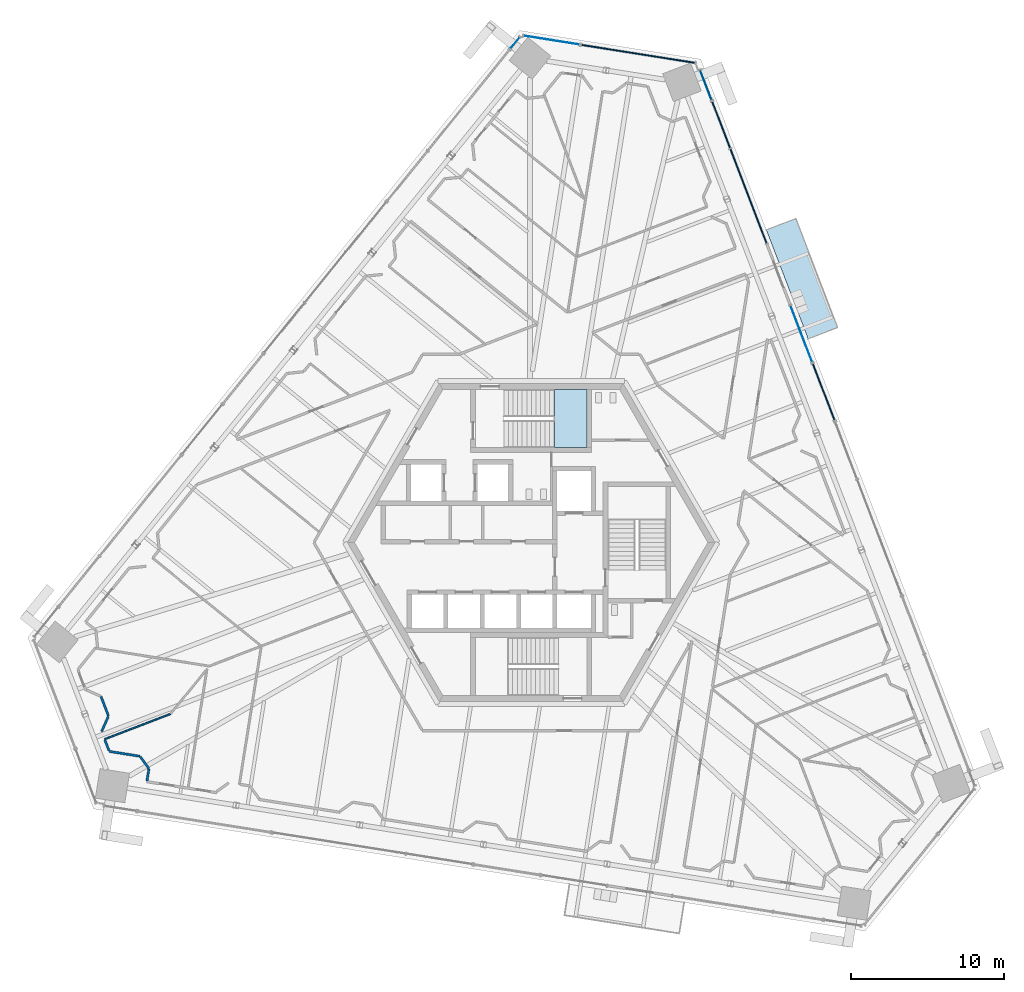
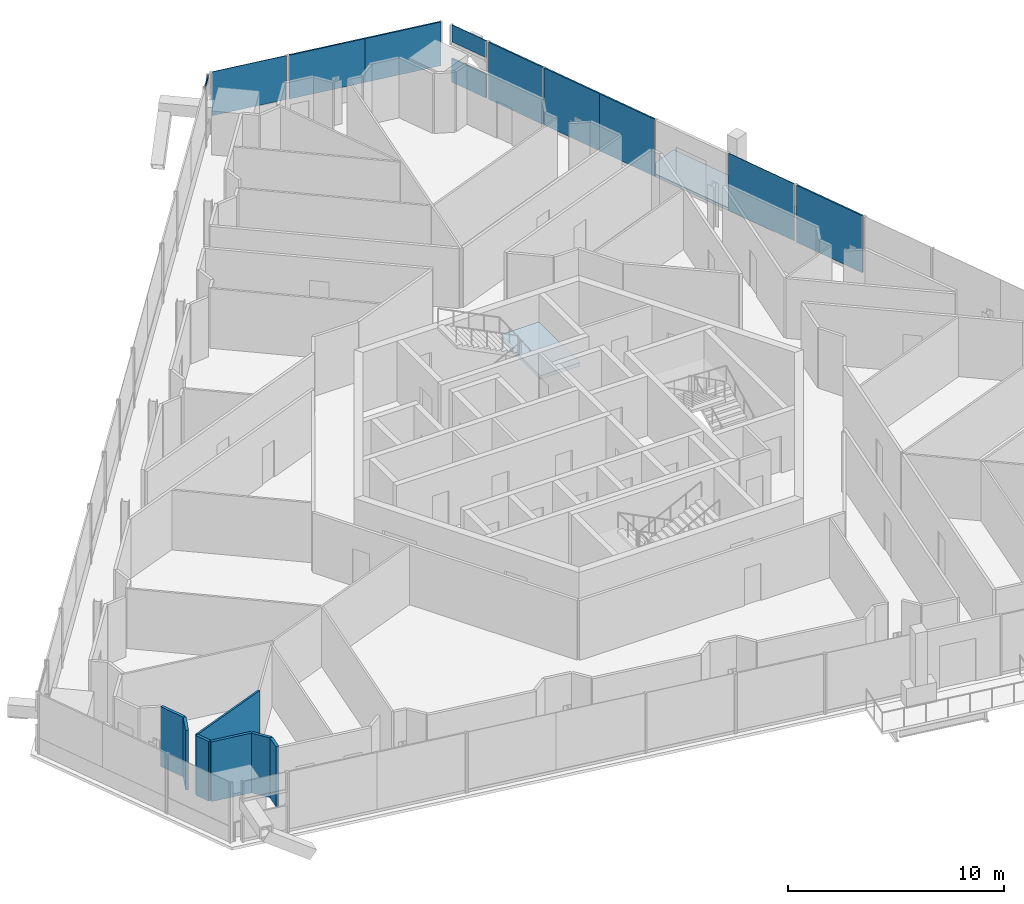
# One storey, part 12 of 23: 11 plates, 7 walls, 2 slabs, 9 elements without a shape of their own.
"""IFC4 building model written with IfcOpenShell, lengths in metres."""

from ifc_helpers import new_model, si_unit, direction, frame, frame_2d, origin, origin_2d, place, context, subcontext, project, spatial, polyline, rectangle, outline, extrude, source, transform, mapped, material, layer, layer_set, type_object, element, aggregate, save


model = new_model("IFC4")

# Units and contexts
model_context = context("Model", 3, precision=1e-05, world=origin(), true_north=direction((0.0, 1.0)))
body_context = subcontext(model_context, "Body", "Model", "MODEL_VIEW")
ifc_project = project(units=[si_unit("LENGTHUNIT", "METRE"), si_unit("AREAUNIT", "SQUARE_METRE"), si_unit("VOLUMEUNIT", "CUBIC_METRE"), si_unit("PLANEANGLEUNIT", "RADIAN"), si_unit("MASSUNIT", "GRAM", prefix="KILO")], contexts=[model_context])

# Site, building, storey
site_placement = place(None, origin())
site = spatial("IfcSite", under=ifc_project, at=site_placement, CompositionType="ELEMENT")
building_placement = place(site_placement, origin())
building = spatial("IfcBuilding", under=site, at=building_placement, Name="Triune Harvest Tower", CompositionType="ELEMENT")
storey_placement = place(building_placement, frame((0.0, 0.0, 171.300048828125)))
storey = spatial("IfcBuildingStorey", under=building, at=storey_placement, Name="L44", CompositionType="ELEMENT", Elevation=171.300048828125)

# Slab
ifc_material_1 = material(Name="Concrete 40 MPa", Category="concrete")
ifc_layer_1 = layer(ifc_material_1, 0.159912109375)
ifc_layer_set_1 = layer_set([ifc_layer_1], Name="Concrete 40 MPa")
slab_type_1 = type_object("IfcSlabType", Name="BA-1 balcony slab 160", PredefinedType="FLOOR", material=ifc_layer_set_1)
slab_1_placement = place(storey_placement, frame((0.0, 0.0, -0.16015625)))
element("IfcSlab", 1, at=slab_1_placement, inside=storey, type_object=slab_type_1, Name="Balcony slab B4-F1 L44.9", PredefinedType="FLOOR", context=body_context, shape_type="SweptSolid", body=[
    extrude(outline(polyline([(18.08447265625, 13.302978515625), (15.355712890625, 20.41162109375), (17.280029296875, 21.150390625), (20.0087890625, 14.0419921875), (18.08447265625, 13.302978515625)])), origin(), (0.0, 0.0, 1.0), 0.16015625),
])

# Curtain wall, plate
ifc_material_2 = material(Name="Aluminium bronze anodised", Category="aluminium")
curtain_wall_type_1 = type_object("IfcCurtainWallType", Name="CW-1 Tower stick curtain wall", PredefinedType="NOTDEFINED", material=ifc_material_2)
curtain_wall_1_placement = place(storey_placement, origin())
curtain_wall_1 = element("IfcCurtainWall", 2, at=curtain_wall_1_placement, inside=storey, type_object=curtain_wall_type_1, Name="CW-1 B4-F3 L44 run 101")
ifc_material_3 = material(Name="Glass", Category="glass")
ifc_layer_2 = layer(ifc_material_3, 0.031982421875)
ifc_layer_set_2 = layer_set([ifc_layer_2], Name="Glass")
plate_type_1 = type_object("IfcPlateType", Name="GL-1 panel 32", PredefinedType="CURTAIN_PANEL", material=ifc_layer_set_2)
plate_1_placement = place(storey_placement, frame((-1.0556640625, 32.622802734375, 3.15966796875), z_axis=(0.0, 0.0, 1.0), x_axis=(-0.629342465334, -0.777128085535, 0.0)))
plate_1 = element("IfcPlate", 3, at=plate_1_placement, type_object=plate_type_1, Name="CW-1 panel B4-F3 101.1", PredefinedType="CURTAIN_PANEL", context=body_context, shape_type="SweptSolid", body=[
    extrude(rectangle(XDim=0.94677734375, YDim=0.031982421875, at=origin_2d()), origin(), (0.0, 0.0, 1.0), 0.215087890625),
])
aggregate(curtain_wall_1, [plate_1])

ifc_material_4 = material(Name="Aluminium bronze anodised", Category="aluminium")
curtain_wall_type_2 = type_object("IfcCurtainWallType", Name="CW-6 Balcony window wall", PredefinedType="NOTDEFINED", material=ifc_material_4)
curtain_wall_2_placement = place(storey_placement, origin())
curtain_wall_2 = element("IfcCurtainWall", 4, at=curtain_wall_2_placement, inside=storey, type_object=curtain_wall_type_2, Name="CW-6 B4-F1 L44 run 3201")
ifc_material_5 = material(Name="Glass", Category="glass")
ifc_layer_3 = layer(ifc_material_5, 0.030029296875)
ifc_layer_set_3 = layer_set([ifc_layer_3], Name="Glass")
plate_type_2 = type_object("IfcPlateType", Name="GL-6 panel 30", PredefinedType="CURTAIN_PANEL", material=ifc_layer_set_3)
plate_2_placement = place(storey_placement, frame((17.636962890625, 13.6318359375, 0.14990234375), z_axis=(0.0, 0.0, 1.0), x_axis=(-0.35837517826, 0.933577651621, 0.0)))
plate_2 = element("IfcPlate", 5, at=plate_2_placement, type_object=plate_type_2, Name="CW-6 panel B4-F1 3201.1", PredefinedType="CURTAIN_PANEL", context=body_context, shape_type="SweptSolid", body=[
    extrude(rectangle(XDim=3.9228515625, YDim=0.030029296875, at=origin_2d()), origin(), (0.0, 0.0, 1.0), 3.22509765625),
])
aggregate(curtain_wall_2, [plate_2])

curtain_wall_3_placement = place(storey_placement, origin())
curtain_wall_3 = element("IfcCurtainWall", 6, at=curtain_wall_3_placement, inside=storey, type_object=curtain_wall_type_2, Name="CW-6 B4-F1 L44 run 202")
plate_3_placement = place(storey_placement, frame((11.400634765625, 29.8779296875, 2.40966796875), z_axis=(0.0, 0.0, 1.0), x_axis=(-0.358380221934, 0.933575715476, 0.0)))
plate_3 = element("IfcPlate", 7, at=plate_3_placement, type_object=plate_type_2, Name="CW-6 panel B4-F1 202.1", PredefinedType="CURTAIN_PANEL", context=body_context, shape_type="SweptSolid", body=[
    extrude(rectangle(XDim=2.0546875, YDim=0.030029296875, at=origin_2d()), origin(), (0.0, 0.0, 1.0), 0.965087890625),
])
aggregate(curtain_wall_3, [plate_3])

ifc_material_6 = material(Name="Aluminium bronze anodised", Category="aluminium")
curtain_wall_type_3 = type_object("IfcCurtainWallType", Name="CW-10 Balcony window wall with insulated spandrel infill", PredefinedType="NOTDEFINED", material=ifc_material_6)
curtain_wall_4_placement = place(storey_placement, origin())
curtain_wall_4 = element("IfcCurtainWall", 8, at=curtain_wall_4_placement, inside=storey, type_object=curtain_wall_type_3, Name="CW-10 B4-F1 L44 run 2201")
ifc_material_7 = material(Name="Insulated spandrel panel, bronze aluminium pan", Category="aluminium")
ifc_layer_4 = layer(ifc_material_7, 0.080078125)
ifc_layer_set_4 = layer_set([ifc_layer_4], Name="Insulated spandrel panel, bronze aluminium pan")
plate_type_3 = type_object("IfcPlateType", Name="SP-1 insulated spandrel panel 80", PredefinedType="CURTAIN_PANEL", material=ifc_layer_set_4)
plate_4_placement = place(storey_placement, frame((19.096435546875, 9.82958984375, 0.14990234375), z_axis=(0.0, 0.0, 1.0), x_axis=(-0.358361992954, 0.933582712997, 0.0)))
plate_4 = element("IfcPlate", 9, at=plate_4_placement, type_object=plate_type_3, Name="CW-10 panel B4-F1 2201.1", PredefinedType="CURTAIN_PANEL", context=body_context, shape_type="SweptSolid", body=[
    extrude(rectangle(XDim=3.922607421875, YDim=0.080078125, at=origin_2d()), origin(), (0.0, 0.0, 1.0), 3.22509765625),
])
aggregate(curtain_wall_4, [plate_4])

curtain_wall_5_placement = place(storey_placement, origin())
curtain_wall_5 = element("IfcCurtainWall", 10, at=curtain_wall_5_placement, inside=storey, type_object=curtain_wall_type_3, Name="CW-10 B4-F1 L44 run 102")
plate_5_placement = place(storey_placement, frame((11.400634765625, 29.8779296875, 0.14990234375), z_axis=(0.0, 0.0, 1.0), x_axis=(-0.358380221934, 0.933575715476, 0.0)))
plate_5 = element("IfcPlate", 11, at=plate_5_placement, type_object=plate_type_3, Name="CW-10 panel B4-F1 102.1", PredefinedType="CURTAIN_PANEL", context=body_context, shape_type="SweptSolid", body=[
    extrude(rectangle(XDim=2.0546875, YDim=0.080078125, at=origin_2d()), origin(), (0.0, 0.0, 1.0), 1.340087890625),
])
aggregate(curtain_wall_5, [plate_5])

# Stair, slab
ifc_material_8 = material(Name="Concrete 40 MPa", Category="concrete")
stair_type = type_object("IfcStairType", Name="Exit stair 1800 half turn", PredefinedType="HALF_TURN_STAIR", material=ifc_material_8)
stair_placement = place(storey_placement, origin())
stair = element("IfcStair", 12, at=stair_placement, inside=storey, type_object=stair_type, Name="Exit stair north", PredefinedType="HALF_TURN_STAIR")
ifc_material_9 = material(Name="Concrete 40 MPa", Category="concrete")
ifc_layer_5 = layer(ifc_material_9, 0.199951171875)
ifc_layer_set_5 = layer_set([ifc_layer_5], Name="Concrete 40 MPa")
slab_type_2 = type_object("IfcSlabType", Name="Stair landing 200", PredefinedType="LANDING", material=ifc_layer_set_5)
shared_shape_1 = source(origin(), body_context, "Body", "SweptSolid", [
    extrude(outline(polyline([(1.510009765625, 6.18994140625), (3.64990234375, 6.18994140625), (3.64990234375, 9.989990234375), (1.510009765625, 9.989990234375), (1.510009765625, 6.18994140625)])), origin(), (0.0, 0.0, 1.0), 0.199951171875),
])
slab_2_placement = place(storey_placement, frame((0.0, 0.0, 1.612548828125)))
slab_2 = element("IfcSlab", 13, at=slab_2_placement, type_object=slab_type_2, Name="ST-1 landing 2", PredefinedType="LANDING", context=body_context, shape_type="MappedRepresentation", body=[
    mapped(shared_shape_1, transform((0.0, 0.0, 0.0), scale=1.0)),
])
aggregate(stair, [slab_2])

# Curtain wall, plates
curtain_wall_6_placement = place(storey_placement, origin())
curtain_wall_6 = element("IfcCurtainWall", 14, at=curtain_wall_6_placement, inside=storey, type_object=curtain_wall_type_3, Name="CW-10 B4-F1 L44 run 2")
shared_shape_2 = source(origin(), body_context, "Body", "SweptSolid", [
    extrude(rectangle(XDim=3.2724609375, YDim=0.080078125, at=origin_2d()), origin(), (0.0, 0.0, 1.0), 3.22509765625),
])
plate_6_placement = place(storey_placement, frame((14.78125, 21.0712890625, 0.14990234375), z_axis=(0.0, 0.0, 1.0), x_axis=(-0.358371098793, 0.933579217608, 0.0)))
plate_6 = element("IfcPlate", 15, at=plate_6_placement, type_object=plate_type_3, Name="CW-10 panel B4-F1 2.1", PredefinedType="CURTAIN_PANEL", context=body_context, shape_type="MappedRepresentation", body=[
    mapped(shared_shape_2, transform((0.0, 0.0, 0.0), scale=1.0)),
])
shared_shape_3 = source(origin(), body_context, "Body", "SweptSolid", [
    extrude(rectangle(XDim=3.309814453125, YDim=0.080078125, at=origin_2d()), origin(), (0.0, 0.0, 1.0), 3.22509765625),
])
plate_7_placement = place(storey_placement, frame((13.601806640625, 24.143798828125, 0.14990234375), z_axis=(0.0, 0.0, 1.0), x_axis=(-0.358371098793, 0.933579217608, 0.0)))
plate_7 = element("IfcPlate", 16, at=plate_7_placement, type_object=plate_type_3, Name="CW-10 panel B4-F1 2.2", PredefinedType="CURTAIN_PANEL", context=body_context, shape_type="MappedRepresentation", body=[
    mapped(shared_shape_3, transform((0.0, 0.0, 0.0), scale=1.0)),
])
shared_shape_4 = source(origin(), body_context, "Body", "SweptSolid", [
    extrude(rectangle(XDim=3.23486328125, YDim=0.080078125, at=origin_2d()), origin(), (0.0, 0.0, 1.0), 3.22509765625),
])
plate_8_placement = place(storey_placement, frame((12.402099609375, 27.268798828125, 0.14990234375), z_axis=(0.0, 0.0, 1.0), x_axis=(-0.358371098793, 0.933579217608, 0.0)))
plate_8 = element("IfcPlate", 17, at=plate_8_placement, type_object=plate_type_3, Name="CW-10 panel B4-F1 2.3", PredefinedType="CURTAIN_PANEL", context=body_context, shape_type="MappedRepresentation", body=[
    mapped(shared_shape_4, transform((0.0, 0.0, 0.0), scale=1.0)),
])
aggregate(curtain_wall_6, [plate_6, plate_7, plate_8])

ifc_material_10 = material(Name="Aluminium bronze anodised", Category="aluminium")
curtain_wall_type_4 = type_object("IfcCurtainWallType", Name="CW-7 Tower stick curtain wall with insulated spandrel infill", PredefinedType="NOTDEFINED", material=ifc_material_10)
curtain_wall_7_placement = place(storey_placement, origin())
curtain_wall_7 = element("IfcCurtainWall", 18, at=curtain_wall_7_placement, inside=storey, type_object=curtain_wall_type_4, Name="CW-7 B4-F2 L44 run 1")
shared_shape_5 = source(origin(), body_context, "Body", "SweptSolid", [
    extrude(rectangle(XDim=3.74951171875, YDim=0.080078125, at=origin_2d()), origin(), (0.0, 0.0, 1.0), 2.47509765625),
])
plate_9_placement = place(storey_placement, frame((8.841552734375, 31.614990234375, 0.89990234375), z_axis=(0.0, 0.0, 1.0), x_axis=(-0.987689528805, 0.156426962792, 0.0)))
plate_9 = element("IfcPlate", 19, at=plate_9_placement, type_object=plate_type_3, Name="CW-7 panel B4-F2 1.1", PredefinedType="CURTAIN_PANEL", context=body_context, shape_type="MappedRepresentation", body=[
    mapped(shared_shape_5, transform((0.0, 0.0, 0.0), scale=1.0)),
])
plate_10_placement = place(storey_placement, frame((5.13818359375, 32.20166015625, 0.89990234375), z_axis=(0.0, 0.0, 1.0), x_axis=(-0.987689528805, 0.156426962792, 0.0)))
plate_10 = element("IfcPlate", 20, at=plate_10_placement, type_object=plate_type_3, Name="CW-7 panel B4-F2 1.2", PredefinedType="CURTAIN_PANEL", context=body_context, shape_type="MappedRepresentation", body=[
    mapped(shared_shape_5, transform((0.0, 0.0, 0.0), scale=1.0)),
])
aggregate(curtain_wall_7, [plate_9, plate_10])

# Curtain wall, plate
curtain_wall_8_placement = place(storey_placement, origin())
curtain_wall_8 = element("IfcCurtainWall", 21, at=curtain_wall_8_placement, inside=storey, type_object=curtain_wall_type_1, Name="CW-1 B4-F2 L44 run 1001")
shared_shape_6 = source(origin(), body_context, "Body", "SweptSolid", [
    extrude(rectangle(XDim=3.674560546875, YDim=0.031982421875, at=origin_2d()), origin(), (0.0, 0.0, 1.0), 2.47509765625),
])
plate_11_placement = place(storey_placement, frame((1.32373046875, 32.8056640625, 0.89990234375), z_axis=(0.0, 0.0, 1.0), x_axis=(-0.987686789255, 0.156444259503, 0.0)))
plate_11 = element("IfcPlate", 22, at=plate_11_placement, type_object=plate_type_1, Name="CW-1 panel B4-F2 1001.1", PredefinedType="CURTAIN_PANEL", context=body_context, shape_type="MappedRepresentation", body=[
    mapped(shared_shape_6, transform((0.0, 0.0, 0.0), scale=1.0)),
])
aggregate(curtain_wall_8, [plate_11])

# Walls
ifc_material_11 = material(Name="Gypsum board on steel studs", Category="steel")
ifc_layer_6 = layer(ifc_material_11, 0.14990234375)
ifc_layer_set_6 = layer_set([ifc_layer_6], Name="Gypsum board on steel studs")
wall_type_1 = type_object("IfcWallType", Name="Fire Partition 150 mm", PredefinedType="PARTITIONING", material=ifc_layer_set_6)
wall_1_placement = place(storey_placement, frame((-27.84423828125, -12.87548828125, 0.0), z_axis=(0.0, 0.0, 1.0), x_axis=(0.358254721163, -0.933623882923, 0.0)))
element("IfcWall", 23, at=wall_1_placement, inside=storey, type_object=wall_type_1, Name="Partition L44 008", PredefinedType="PARTITIONING", context=body_context, shape_type="SweptSolid", body=[
    extrude(rectangle(XDim=0.76806640625, YDim=0.14990234375, at=frame_2d((0.384033203125, 0.0))), origin(), (0.0, 0.0, 1.0), 3.375),
])
wall_2_placement = place(storey_placement, frame((-25.53125, -13.981201171875, 0.0), z_axis=(0.0, 0.0, 1.0), x_axis=(0.587871875586, -0.808954051782, 0.0)))
element("IfcWall", 24, at=wall_2_placement, inside=storey, type_object=wall_type_1, Name="Partition L44 027", PredefinedType="PARTITIONING", context=body_context, shape_type="SweptSolid", body=[
    extrude(rectangle(XDim=0.968505859375, YDim=0.14990234375, at=frame_2d((0.484375, 0.0))), origin(), (0.0, 0.0, 1.0), 3.375),
])
wall_3_placement = place(storey_placement, frame((-28.050537109375, -12.338134765625, 0.0), z_axis=(0.0, 0.0, 1.0), x_axis=(0.406750142181, 0.913539447334, 0.0)))
element("IfcWall", 25, at=wall_3_placement, inside=storey, type_object=wall_type_1, Name="Partition L44 131", PredefinedType="PARTITIONING", context=body_context, shape_type="SweptSolid", body=[
    extrude(rectangle(XDim=1.07373046875, YDim=0.14990234375, at=frame_2d((0.536865234375, 0.0))), origin(), (0.0, 0.0, 1.0), 3.375),
])
wall_4_placement = place(storey_placement, frame((-25.089111328125, -15.5673828125, 0.0), z_axis=(0.0, 0.0, 1.0), x_axis=(0.156250843188, 0.987717405943, 0.0)))
element("IfcWall", 26, at=wall_4_placement, inside=storey, type_object=wall_type_1, Name="Partition L44 144", PredefinedType="PARTITIONING", context=body_context, shape_type="SweptSolid", body=[
    extrude(rectangle(XDim=0.78271484375, YDim=0.14990234375, at=frame_2d((0.391357421875, 0.0))), origin(), (0.0, 0.0, 1.0), 3.375),
])
shared_shape_7 = source(origin(), body_context, "Body", "SweptSolid", [
    extrude(rectangle(XDim=1.37158203125, YDim=0.14990234375, at=frame_2d((0.685791015625, 0.0))), origin(), (0.0, 0.0, 1.0), 3.375),
])
wall_5_placement = place(storey_placement, frame((-28.093017578125, -10.04931640625, 0.0), z_axis=(0.0, 0.0, 1.0), x_axis=(0.358311034147, -0.933602272281, 0.0)))
element("IfcWall", 27, at=wall_5_placement, inside=storey, type_object=wall_type_1, Name="Partition L44 009", PredefinedType="PARTITIONING", context=body_context, shape_type="MappedRepresentation", body=[
    mapped(shared_shape_7, transform((0.0, 0.0, 0.0), scale=1.0)),
])
shared_shape_8 = source(origin(), body_context, "Body", "SweptSolid", [
    extrude(rectangle(XDim=2.026611328125, YDim=0.14990234375, at=frame_2d((1.01318359375, 0.0))), origin(), (0.0, 0.0, 1.0), 3.375),
])
wall_6_placement = place(storey_placement, frame((-27.551025390625, -13.6396484375, 0.0), z_axis=(0.0, 0.0, 1.0), x_axis=(0.987680783197, -0.156482173115, 0.0)))
element("IfcWall", 28, at=wall_6_placement, inside=storey, type_object=wall_type_1, Name="Partition L44 067", PredefinedType="PARTITIONING", context=body_context, shape_type="MappedRepresentation", body=[
    mapped(shared_shape_8, transform((0.0, 0.0, 0.0), scale=1.0)),
])
ifc_material_12 = material(Name="Gypsum board on steel studs", Category="steel")
ifc_layer_7 = layer(ifc_material_12, 0.10009765625)
ifc_layer_set_7 = layer_set([ifc_layer_7], Name="Gypsum board on steel studs")
wall_type_2 = type_object("IfcWallType", Name="Partition 100 mm", PredefinedType="PARTITIONING", material=ifc_layer_set_7)
shared_shape_9 = source(origin(), body_context, "Body", "SweptSolid", [
    extrude(rectangle(XDim=4.61083984375, YDim=0.10009765625, at=frame_2d((2.305419921875, 0.0))), origin(), (0.0, 0.0, 1.0), 3.375),
])
wall_7_placement = place(storey_placement, frame((-27.855712890625, -12.845703125, 0.0), z_axis=(0.0, 0.0, 1.0), x_axis=(0.933585575453, 0.358354535768, 0.0)))
element("IfcWall", 29, at=wall_7_placement, inside=storey, type_object=wall_type_2, Name="Partition L44 088", PredefinedType="PARTITIONING", context=body_context, shape_type="MappedRepresentation", body=[
    mapped(shared_shape_9, transform((0.0, 0.0, 0.0), scale=1.0)),
])

save(model, "model.ifc")
